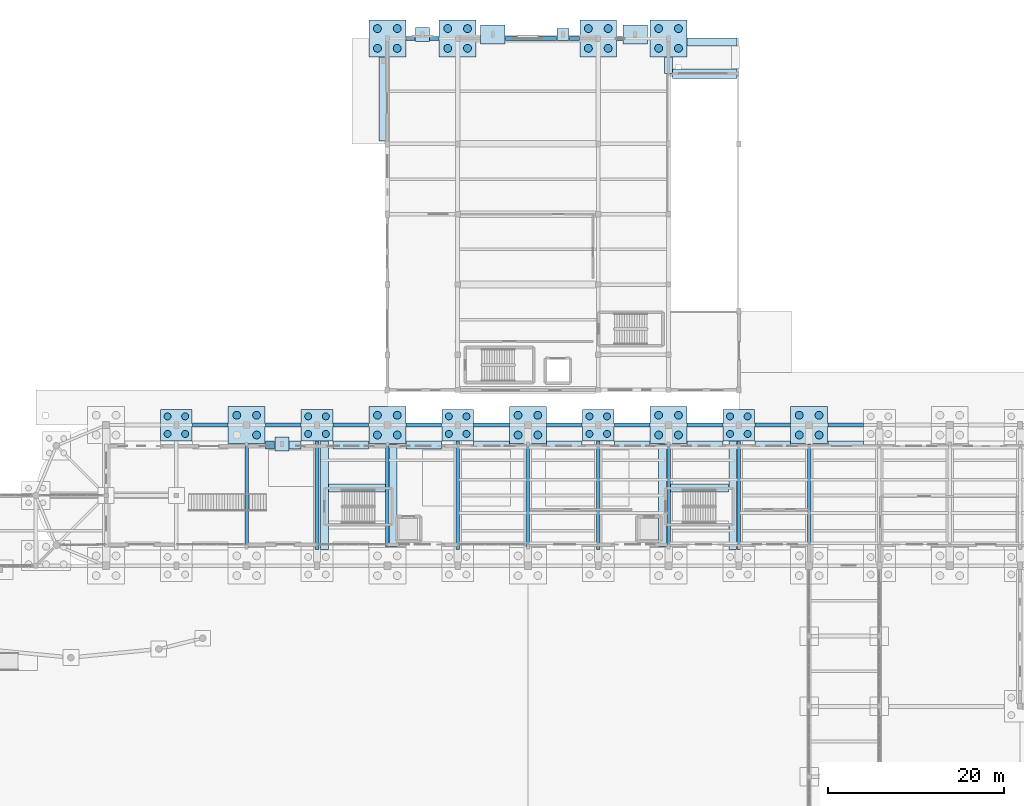
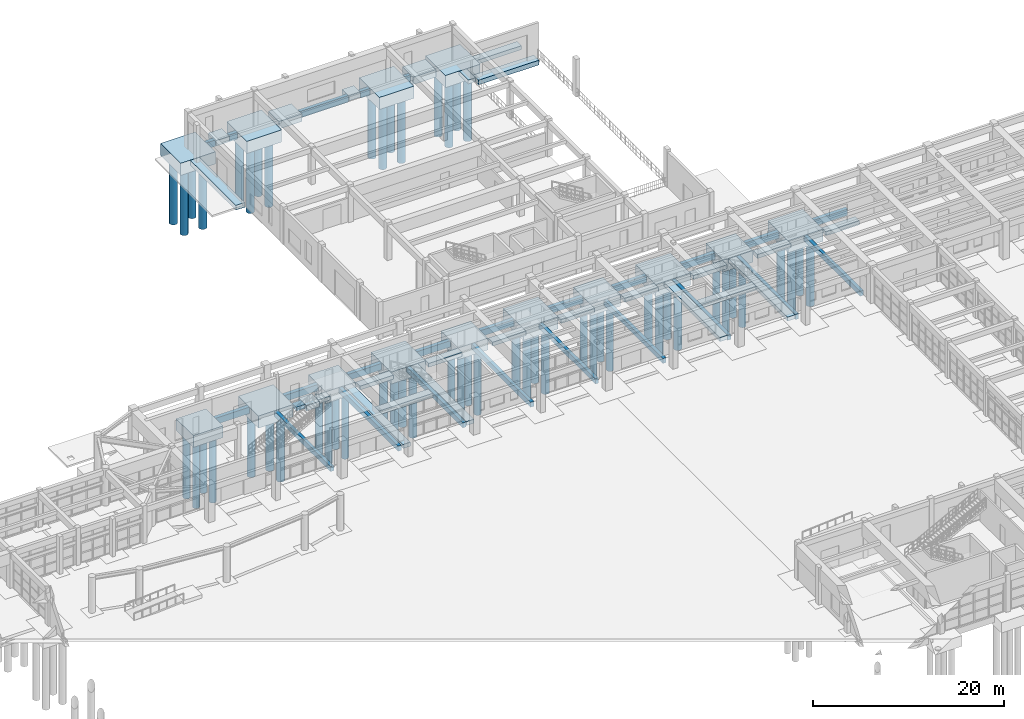
# One storey, part 4 of 68: 63 footings, 55 piles.
"""IFC4 building model written with IfcOpenShell, lengths in metres."""

from ifc_helpers import new_model, si_unit, direction, frame, origin, origin_2d, place, context, subcontext, project, spatial, polyline, rectangle, circle, outline, extrude, material, material_profile, profile_set, type_object, element, save


model = new_model("IFC4")

# Units and contexts
model_context = context("Model", 3, precision=1e-05, world=origin(), true_north=direction((0.0, 1.0)))
body_context = subcontext(model_context, "Body", "Model", "MODEL_VIEW")
ifc_project = project(units=[si_unit("LENGTHUNIT", "METRE"), si_unit("AREAUNIT", "SQUARE_METRE"), si_unit("VOLUMEUNIT", "CUBIC_METRE"), si_unit("PLANEANGLEUNIT", "RADIAN"), si_unit("MASSUNIT", "GRAM", prefix="KILO")], contexts=[model_context])

# Site, building, storey
site_placement = place(None, origin())
site = spatial("IfcSite", under=ifc_project, at=site_placement, CompositionType="ELEMENT")
building_placement = place(site_placement, origin())
building = spatial("IfcBuilding", under=site, at=building_placement, Name="Serraluz Foothill Cableway Terminal", CompositionType="ELEMENT")
storey_placement = place(building_placement, origin())
storey = spatial("IfcBuildingStorey", under=building, at=storey_placement, Name="L00", CompositionType="ELEMENT", Elevation=0.0)

# Footings
ifc_material_1 = material(Name="Concrete C35/45 (f'c 35 MPa)", Category="concrete")
ifc_material_profile_1 = material_profile(ifc_material_1, rectangle(XDim=0.39990234375, YDim=0.64990234375, at=origin_2d()), Name="RC 400x650")
ifc_profile_set_1 = profile_set([ifc_material_profile_1], Name="Concrete C35/45 (f'c 35 MPa)")
footing_type_1 = type_object("IfcFootingType", Name="TYP-FB-400X650", PredefinedType="FOOTING_BEAM", material=ifc_profile_set_1)
footing_1_placement = place(storey_placement, frame((56.0, 58.1240234375, -0.324951171875), z_axis=(0.0, 1.0, 0.0), x_axis=(-1.0, 0.0, 0.0)))
element("IfcFooting", 1, at=footing_1_placement, inside=storey, type_object=footing_type_1, Name="Seismic Tie Footing Beam FB-137", PredefinedType="FOOTING_BEAM", context=body_context, shape_type="SweptSolid", body=[
    extrude(rectangle(XDim=0.39990234375, YDim=0.64990234375, at=origin_2d()), origin(), (0.0, 0.0, 1.0), 11.751953125),
])
footing_2_placement = place(storey_placement, frame((64.0, 57.823974609375, -0.324951171875), z_axis=(0.0, 1.0, 0.0), x_axis=(-1.0, 0.0, 0.0)))
element("IfcFooting", 2, at=footing_2_placement, inside=storey, type_object=footing_type_1, Name="Seismic Tie Footing Beam FB-138", PredefinedType="FOOTING_BEAM", context=body_context, shape_type="SweptSolid", body=[
    extrude(rectangle(XDim=0.39990234375, YDim=0.64990234375, at=origin_2d()), origin(), (0.0, 0.0, 1.0), 12.35205078125),
])
footing_3_placement = place(storey_placement, frame((72.0, 58.1240234375, -0.324951171875), z_axis=(0.0, 1.0, 0.0), x_axis=(-1.0, 0.0, 0.0)))
element("IfcFooting", 3, at=footing_3_placement, inside=storey, type_object=footing_type_1, Name="Seismic Tie Footing Beam FB-139", PredefinedType="FOOTING_BEAM", context=body_context, shape_type="SweptSolid", body=[
    extrude(rectangle(XDim=0.39990234375, YDim=0.64990234375, at=origin_2d()), origin(), (0.0, 0.0, 1.0), 11.751953125),
])
footing_4_placement = place(storey_placement, frame((80.0, 57.823974609375, -0.324951171875), z_axis=(0.0, 1.0, 0.0), x_axis=(-1.0, 0.0, 0.0)))
element("IfcFooting", 4, at=footing_4_placement, inside=storey, type_object=footing_type_1, Name="Seismic Tie Footing Beam FB-140", PredefinedType="FOOTING_BEAM", context=body_context, shape_type="SweptSolid", body=[
    extrude(rectangle(XDim=0.39990234375, YDim=0.64990234375, at=origin_2d()), origin(), (0.0, 0.0, 1.0), 12.35205078125),
])
footing_5_placement = place(storey_placement, frame((88.0, 58.1240234375, -0.324951171875), z_axis=(0.0, 1.0, 0.0), x_axis=(-1.0, 0.0, 0.0)))
element("IfcFooting", 5, at=footing_5_placement, inside=storey, type_object=footing_type_1, Name="Seismic Tie Footing Beam FB-144", PredefinedType="FOOTING_BEAM", context=body_context, shape_type="SweptSolid", body=[
    extrude(rectangle(XDim=0.39990234375, YDim=0.64990234375, at=origin_2d()), origin(), (0.0, 0.0, 1.0), 11.751953125),
])
footing_6_placement = place(storey_placement, frame((96.0, 57.823974609375, -0.324951171875), z_axis=(0.0, 1.0, 0.0), x_axis=(-1.0, 0.0, 0.0)))
element("IfcFooting", 6, at=footing_6_placement, inside=storey, type_object=footing_type_1, Name="Seismic Tie Footing Beam FB-146", PredefinedType="FOOTING_BEAM", context=body_context, shape_type="SweptSolid", body=[
    extrude(rectangle(XDim=0.39990234375, YDim=0.64990234375, at=origin_2d()), origin(), (0.0, 0.0, 1.0), 12.35205078125),
])
footing_7_placement = place(storey_placement, frame((104.0, 58.1240234375, -0.324951171875), z_axis=(0.0, 1.0, 0.0), x_axis=(-1.0, 0.0, 0.0)))
element("IfcFooting", 7, at=footing_7_placement, inside=storey, type_object=footing_type_1, Name="Seismic Tie Footing Beam FB-148", PredefinedType="FOOTING_BEAM", context=body_context, shape_type="SweptSolid", body=[
    extrude(rectangle(XDim=0.39990234375, YDim=0.64990234375, at=origin_2d()), origin(), (0.0, 0.0, 1.0), 11.751953125),
])
footing_8_placement = place(storey_placement, frame((112.0, 57.823974609375, -0.324951171875), z_axis=(0.0, 1.0, 0.0), x_axis=(-1.0, 0.0, 0.0)))
element("IfcFooting", 8, at=footing_8_placement, inside=storey, type_object=footing_type_1, Name="Seismic Tie Footing Beam FB-150", PredefinedType="FOOTING_BEAM", context=body_context, shape_type="SweptSolid", body=[
    extrude(rectangle(XDim=0.39990234375, YDim=0.64990234375, at=origin_2d()), origin(), (0.0, 0.0, 1.0), 12.35205078125),
])
footing_9_placement = place(storey_placement, frame((120.0, 58.1240234375, -0.324951171875), z_axis=(0.0, 1.0, 0.0), x_axis=(-1.0, 0.0, 0.0)))
element("IfcFooting", 9, at=footing_9_placement, inside=storey, type_object=footing_type_1, Name="Seismic Tie Footing Beam FB-157", PredefinedType="FOOTING_BEAM", context=body_context, shape_type="SweptSolid", body=[
    extrude(rectangle(XDim=0.39990234375, YDim=0.64990234375, at=origin_2d()), origin(), (0.0, 0.0, 1.0), 11.751953125),
])
ifc_material_profile_2 = material_profile(ifc_material_1, rectangle(XDim=0.449951171875, YDim=0.800048828125, at=origin_2d()), Name="RC 450x800")
ifc_profile_set_2 = profile_set([ifc_material_profile_2], Name="Concrete C35/45 (f'c 35 MPa)")
footing_type_2 = type_object("IfcFootingType", Name="TYP-FB-450X700", PredefinedType="FOOTING_BEAM", material=ifc_profile_set_2)
for number, where, z_axis, x_axis, name in (
    (10, (49.823974609375, 72.0, -0.39990234375), (1.0, 0.0, 0.0), (0.0, 1.0, 0.0), "Seismic Tie Footing Beam FB-091"),
    (11, (58.1240234375, 72.0, -0.39990234375), (1.0, 0.0, 0.0), (0.0, 1.0, 0.0), "Seismic Tie Footing Beam FB-092"),
    (12, (65.823974609375, 72.0, -0.39990234375), (1.0, 0.0, 0.0), (0.0, 1.0, 0.0), "Seismic Tie Footing Beam FB-093"),
    (13, (74.1240234375, 72.0, -0.39990234375), (1.0, 0.0, 0.0), (0.0, 1.0, 0.0), "Seismic Tie Footing Beam FB-094"),
    (14, (81.823974609375, 72.0, -0.39990234375), (1.0, 0.0, 0.0), (0.0, 1.0, 0.0), "Seismic Tie Footing Beam FB-095"),
    (15, (90.1240234375, 72.0, -0.39990234375), (1.0, 0.0, 0.0), (0.0, 1.0, 0.0), "Seismic Tie Footing Beam FB-096"),
    (16, (97.823974609375, 72.0, -0.39990234375), (1.0, 0.0, 0.0), (0.0, 1.0, 0.0), "Seismic Tie Footing Beam FB-097"),
    (17, (106.1240234375, 72.0, -0.39990234375), (1.0, 0.0, 0.0), (0.0, 1.0, 0.0), "Seismic Tie Footing Beam FB-098"),
    (18, (113.823974609375, 72.0, -0.39990234375), (1.0, 0.0, 0.0), (0.0, 1.0, 0.0), "Seismic Tie Footing Beam FB-099"),
    (19, (122.1240234375, 72.0, -0.39990234375), (1.0, 0.0, 0.0), (0.0, 1.0, 0.0), "Seismic Tie Footing Beam FB-100"),
):
    element("IfcFooting", number, at=place(storey_placement, frame(where, z_axis=z_axis, x_axis=x_axis)), inside=storey, type_object=footing_type_2, Name=name, PredefinedType="FOOTING_BEAM", context=body_context, shape_type="SweptSolid", body=[
        extrude(rectangle(XDim=0.449951171875, YDim=0.800048828125, at=origin_2d()), origin(), (0.0, 0.0, 1.0), 4.052001953125),
    ])
for number, where, z_axis, x_axis, name in (
    (20, (74.1240234375, 116.0, -0.39990234375), (1.0, 0.0, 0.0), (0.0, 1.0, 0.0), "Seismic Tie Footing Beam FB-107"),
    (21, (76.823974609375, 116.0, -0.39990234375), (1.0, 0.0, 0.0), (0.0, 1.0, 0.0), "Seismic Tie Footing Beam FB-108"),
):
    element("IfcFooting", number, at=place(storey_placement, frame(where, z_axis=z_axis, x_axis=x_axis)), inside=storey, type_object=footing_type_2, Name=name, PredefinedType="FOOTING_BEAM", context=body_context, shape_type="SweptSolid", body=[
        extrude(rectangle(XDim=0.449951171875, YDim=0.800048828125, at=origin_2d()), origin(), (0.0, 0.0, 1.0), 1.052001953125),
    ])
footing_10_placement = place(storey_placement, frame((85.424072265625, 116.0, -0.39990234375), z_axis=(1.0, 0.0, 0.0), x_axis=(0.0, 1.0, 0.0)))
element("IfcFooting", 22, at=footing_10_placement, inside=storey, type_object=footing_type_2, Name="Seismic Tie Footing Beam FB-109", PredefinedType="FOOTING_BEAM", context=body_context, shape_type="SweptSolid", body=[
    extrude(rectangle(XDim=0.449951171875, YDim=0.800048828125, at=origin_2d()), origin(), (0.0, 0.0, 1.0), 5.851806640625),
])
footing_11_placement = place(storey_placement, frame((92.72412109375, 116.0, -0.39990234375), z_axis=(1.0, 0.0, 0.0), x_axis=(0.0, 1.0, 0.0)))
element("IfcFooting", 23, at=footing_11_placement, inside=storey, type_object=footing_type_2, Name="Seismic Tie Footing Beam FB-110", PredefinedType="FOOTING_BEAM", context=body_context, shape_type="SweptSolid", body=[
    extrude(rectangle(XDim=0.449951171875, YDim=0.800048828125, at=origin_2d()), origin(), (0.0, 0.0, 1.0), 1.15185546875),
])
footing_12_placement = place(storey_placement, frame((98.1240234375, 116.0, -0.39990234375), z_axis=(1.0, 0.0, 0.0), x_axis=(0.0, 1.0, 0.0)))
element("IfcFooting", 24, at=footing_12_placement, inside=storey, type_object=footing_type_2, Name="Seismic Tie Footing Beam FB-111", PredefinedType="FOOTING_BEAM", context=body_context, shape_type="SweptSolid", body=[
    extrude(rectangle(XDim=0.449951171875, YDim=0.800048828125, at=origin_2d()), origin(), (0.0, 0.0, 1.0), 0.65185546875),
])
footing_type_3 = type_object("IfcFootingType", Name="TYP-PAD-1400X1400X650", PredefinedType="PAD_FOOTING", material=ifc_material_1)
footing_13_placement = place(storey_placement, frame((92.0, 116.449951171875, -0.64990234375), z_axis=(0.0, 0.0, 1.0), x_axis=(1.0, 0.0, 0.0)))
element("IfcFooting", 25, at=footing_13_placement, inside=storey, type_object=footing_type_3, Name="Pilaster Pad Footing 30", PredefinedType="PAD_FOOTING", context=body_context, shape_type="SweptSolid", body=[
    extrude(rectangle(XDim=1.39990234375, YDim=1.39990234375, at=origin_2d()), origin(), (0.0, 0.0, 1.0), 0.64990234375),
])
footing_type_4 = type_object("IfcFootingType", Name="TYP-PAD-1600X1600X700", PredefinedType="PAD_FOOTING", material=ifc_material_1)
for number, where, z_axis, x_axis, name in (
    (26, (60.0, 69.85009765625, -0.7001953125), (0.0, 0.0, 1.0), (1.0, 0.0, 0.0), "Pilaster Pad Footing 25"),
    (27, (76.0, 116.449951171875, -0.7001953125), (0.0, 0.0, 1.0), (1.0, 0.0, 0.0), "Pilaster Pad Footing 28"),
):
    element("IfcFooting", number, at=place(storey_placement, frame(where, z_axis=z_axis, x_axis=x_axis)), inside=storey, type_object=footing_type_4, Name=name, PredefinedType="PAD_FOOTING", context=body_context, shape_type="SweptSolid", body=[
        extrude(rectangle(XDim=1.60009765625, YDim=1.60009765625, at=origin_2d()), origin(), (0.0, 0.0, 1.0), 0.699951171875),
    ])
footing_type_5 = type_object("IfcFootingType", Name="TYP-PAD-2800X2200X950", PredefinedType="PAD_FOOTING", material=ifc_material_1)
for number, where, z_axis, x_axis, name in (
    (28, (100.199951171875, 116.449951171875, -0.9501953125), (0.0, 0.0, 1.0), (1.0, 0.0, 0.0), "Pilaster Pad Footing 26"),
    (29, (84.0, 116.449951171875, -0.9501953125), (0.0, 0.0, 1.0), (1.0, 0.0, 0.0), "Pilaster Pad Footing 29"),
):
    element("IfcFooting", number, at=place(storey_placement, frame(where, z_axis=z_axis, x_axis=x_axis)), inside=storey, type_object=footing_type_5, Name=name, PredefinedType="PAD_FOOTING", context=body_context, shape_type="SweptSolid", body=[
        extrude(rectangle(XDim=2.800048828125, YDim=2.199951171875, at=origin_2d()), origin(), (0.0, 0.0, 1.0), 0.949951171875),
    ])
footing_type_6 = type_object("IfcFootingType", Name="TYP-PC-3600X3600X1500", PredefinedType="PILE_CAP", material=ifc_material_1)
footing_14_placement = place(storey_placement, frame((0.0, 0.0, -1.5)))
element("IfcFooting", 30, at=footing_14_placement, inside=storey, type_object=footing_type_6, Name="Pile Cap FTG-PC-L00-004", PredefinedType="PILE_CAP", context=body_context, shape_type="SweptSolid", body=[
    extrude(outline(polyline([(46.199951171875, 70.199951171875), (49.800048828125, 70.199951171875), (49.800048828125, 73.800048828125), (46.199951171875, 73.800048828125), (46.199951171875, 70.199951171875)])), origin(), (0.0, 0.0, 1.0), 1.5),
])
footing_15_placement = place(storey_placement, frame((0.0, 0.0, -1.5)))
element("IfcFooting", 31, at=footing_15_placement, inside=storey, type_object=footing_type_6, Name="Pile Cap FTG-PC-L00-008", PredefinedType="PILE_CAP", context=body_context, shape_type="SweptSolid", body=[
    extrude(outline(polyline([(62.199951171875, 70.199951171875), (65.800048828125, 70.199951171875), (65.800048828125, 73.800048828125), (62.199951171875, 73.800048828125), (62.199951171875, 70.199951171875)])), origin(), (0.0, 0.0, 1.0), 1.5),
])
footing_16_placement = place(storey_placement, frame((0.0, 0.0, -1.5)))
element("IfcFooting", 32, at=footing_16_placement, inside=storey, type_object=footing_type_6, Name="Pile Cap FTG-PC-L00-012", PredefinedType="PILE_CAP", context=body_context, shape_type="SweptSolid", body=[
    extrude(outline(polyline([(78.199951171875, 70.199951171875), (81.800048828125, 70.199951171875), (81.800048828125, 73.800048828125), (78.199951171875, 73.800048828125), (78.199951171875, 70.199951171875)])), origin(), (0.0, 0.0, 1.0), 1.5),
])
footing_17_placement = place(storey_placement, frame((0.0, 0.0, -1.5)))
element("IfcFooting", 33, at=footing_17_placement, inside=storey, type_object=footing_type_6, Name="Pile Cap FTG-PC-L00-016", PredefinedType="PILE_CAP", context=body_context, shape_type="SweptSolid", body=[
    extrude(outline(polyline([(94.199951171875, 70.199951171875), (97.800048828125, 70.199951171875), (97.800048828125, 73.800048828125), (94.199951171875, 73.800048828125), (94.199951171875, 70.199951171875)])), origin(), (0.0, 0.0, 1.0), 1.5),
])
footing_18_placement = place(storey_placement, frame((0.0, 0.0, -1.5)))
element("IfcFooting", 34, at=footing_18_placement, inside=storey, type_object=footing_type_6, Name="Pile Cap FTG-PC-L00-020", PredefinedType="PILE_CAP", context=body_context, shape_type="SweptSolid", body=[
    extrude(outline(polyline([(110.199951171875, 70.199951171875), (113.800048828125, 70.199951171875), (113.800048828125, 73.800048828125), (110.199951171875, 73.800048828125), (110.199951171875, 70.199951171875)])), origin(), (0.0, 0.0, 1.0), 1.5),
])
footing_type_7 = type_object("IfcFootingType", Name="TYP-PC-4200X4200X1550", PredefinedType="PILE_CAP", material=ifc_material_1)
footing_19_placement = place(storey_placement, frame((0.0, 0.0, -1.550048828125)))
element("IfcFooting", 35, at=footing_19_placement, inside=storey, type_object=footing_type_7, Name="Pile Cap FTG-PC-L00-006", PredefinedType="PILE_CAP", context=body_context, shape_type="SweptSolid", body=[
    extrude(outline(polyline([(53.89990234375, 69.89990234375), (58.10009765625, 69.89990234375), (58.10009765625, 74.10009765625), (53.89990234375, 74.10009765625), (53.89990234375, 69.89990234375)])), origin(), (0.0, 0.0, 1.0), 1.550048828125),
])
footing_20_placement = place(storey_placement, frame((0.0, 0.0, -1.550048828125)))
element("IfcFooting", 36, at=footing_20_placement, inside=storey, type_object=footing_type_7, Name="Pile Cap FTG-PC-L00-010", PredefinedType="PILE_CAP", context=body_context, shape_type="SweptSolid", body=[
    extrude(outline(polyline([(69.89990234375, 69.89990234375), (74.10009765625, 69.89990234375), (74.10009765625, 74.10009765625), (69.89990234375, 74.10009765625), (69.89990234375, 69.89990234375)])), origin(), (0.0, 0.0, 1.0), 1.550048828125),
])
footing_21_placement = place(storey_placement, frame((0.0, 0.0, -1.550048828125)))
element("IfcFooting", 37, at=footing_21_placement, inside=storey, type_object=footing_type_7, Name="Pile Cap FTG-PC-L00-014", PredefinedType="PILE_CAP", context=body_context, shape_type="SweptSolid", body=[
    extrude(outline(polyline([(85.89990234375, 69.89990234375), (90.10009765625, 69.89990234375), (90.10009765625, 74.10009765625), (85.89990234375, 74.10009765625), (85.89990234375, 69.89990234375)])), origin(), (0.0, 0.0, 1.0), 1.550048828125),
])
footing_22_placement = place(storey_placement, frame((0.0, 0.0, -1.550048828125)))
element("IfcFooting", 38, at=footing_22_placement, inside=storey, type_object=footing_type_7, Name="Pile Cap FTG-PC-L00-018", PredefinedType="PILE_CAP", context=body_context, shape_type="SweptSolid", body=[
    extrude(outline(polyline([(101.89990234375, 69.89990234375), (106.10009765625, 69.89990234375), (106.10009765625, 74.10009765625), (101.89990234375, 74.10009765625), (101.89990234375, 69.89990234375)])), origin(), (0.0, 0.0, 1.0), 1.550048828125),
])
footing_23_placement = place(storey_placement, frame((0.0, 0.0, -1.550048828125)))
element("IfcFooting", 39, at=footing_23_placement, inside=storey, type_object=footing_type_7, Name="Pile Cap FTG-PC-L00-022", PredefinedType="PILE_CAP", context=body_context, shape_type="SweptSolid", body=[
    extrude(outline(polyline([(117.89990234375, 69.89990234375), (122.10009765625, 69.89990234375), (122.10009765625, 74.10009765625), (117.89990234375, 74.10009765625), (117.89990234375, 69.89990234375)])), origin(), (0.0, 0.0, 1.0), 1.550048828125),
])
footing_24_placement = place(storey_placement, frame((0.0, 0.0, -1.550048828125)))
element("IfcFooting", 40, at=footing_24_placement, inside=storey, type_object=footing_type_7, Name="Pile Cap FTG-PC-L00-064", PredefinedType="PILE_CAP", context=body_context, shape_type="SweptSolid", body=[
    extrude(outline(polyline([(69.89990234375, 113.89990234375), (74.10009765625, 113.89990234375), (74.10009765625, 118.10009765625), (69.89990234375, 118.10009765625), (69.89990234375, 113.89990234375)])), origin(), (0.0, 0.0, 1.0), 1.550048828125),
])
footing_25_placement = place(storey_placement, frame((0.0, 0.0, -1.550048828125)))
element("IfcFooting", 41, at=footing_25_placement, inside=storey, type_object=footing_type_7, Name="Pile Cap FTG-PC-L00-065", PredefinedType="PILE_CAP", context=body_context, shape_type="SweptSolid", body=[
    extrude(outline(polyline([(77.89990234375, 113.89990234375), (82.10009765625, 113.89990234375), (82.10009765625, 118.10009765625), (77.89990234375, 118.10009765625), (77.89990234375, 113.89990234375)])), origin(), (0.0, 0.0, 1.0), 1.550048828125),
])
footing_26_placement = place(storey_placement, frame((0.0, 0.0, -1.550048828125)))
element("IfcFooting", 42, at=footing_26_placement, inside=storey, type_object=footing_type_7, Name="Pile Cap FTG-PC-L00-066", PredefinedType="PILE_CAP", context=body_context, shape_type="SweptSolid", body=[
    extrude(outline(polyline([(93.89990234375, 113.89990234375), (98.10009765625, 113.89990234375), (98.10009765625, 118.10009765625), (93.89990234375, 118.10009765625), (93.89990234375, 113.89990234375)])), origin(), (0.0, 0.0, 1.0), 1.550048828125),
])
footing_27_placement = place(storey_placement, frame((0.0, 0.0, -1.550048828125)))
element("IfcFooting", 43, at=footing_27_placement, inside=storey, type_object=footing_type_7, Name="Pile Cap FTG-PC-L00-067", PredefinedType="PILE_CAP", context=body_context, shape_type="SweptSolid", body=[
    extrude(outline(polyline([(101.89990234375, 113.89990234375), (106.10009765625, 113.89990234375), (106.10009765625, 118.10009765625), (101.89990234375, 118.10009765625), (101.89990234375, 113.89990234375)])), origin(), (0.0, 0.0, 1.0), 1.550048828125),
])

# Piles
ifc_material_2 = material(Name="Concrete C28/35 (f'c 28 MPa)", Category="concrete")
ifc_material_profile_3 = material_profile(ifc_material_2, circle(Radius=0.39990234375, at=origin_2d()), Name="BORED PILE D800")
ifc_profile_set_3 = profile_set([ifc_material_profile_3], Name="Concrete C28/35 (f'c 28 MPa)")
pile_type_1 = type_object("IfcPileType", Name="TYP-PILE-D800", PredefinedType="BORED", material=ifc_profile_set_3)
for number, where, z_axis, x_axis, name in (
    (44, (47.0, 71.0, -1.39990234375), (0.0, 0.0, -1.0), (1.0, 0.0, 0.0), "Bored Pile PIL-L00-004-01"),
    (45, (47.0, 73.0, -1.39990234375), (0.0, 0.0, -1.0), (1.0, 0.0, 0.0), "Bored Pile PIL-L00-004-02"),
    (46, (49.0, 71.0, -1.39990234375), (0.0, 0.0, -1.0), (1.0, 0.0, 0.0), "Bored Pile PIL-L00-004-03"),
    (47, (49.0, 73.0, -1.39990234375), (0.0, 0.0, -1.0), (1.0, 0.0, 0.0), "Bored Pile PIL-L00-004-04"),
    (48, (63.0, 71.0, -1.39990234375), (0.0, 0.0, -1.0), (1.0, 0.0, 0.0), "Bored Pile PIL-L00-008-01"),
    (49, (63.0, 73.0, -1.39990234375), (0.0, 0.0, -1.0), (1.0, 0.0, 0.0), "Bored Pile PIL-L00-008-02"),
    (50, (65.0, 71.0, -1.39990234375), (0.0, 0.0, -1.0), (1.0, 0.0, 0.0), "Bored Pile PIL-L00-008-03"),
    (51, (65.0, 73.0, -1.39990234375), (0.0, 0.0, -1.0), (1.0, 0.0, 0.0), "Bored Pile PIL-L00-008-04"),
    (52, (79.0, 71.0, -1.39990234375), (0.0, 0.0, -1.0), (1.0, 0.0, 0.0), "Bored Pile PIL-L00-012-01"),
    (53, (79.0, 73.0, -1.39990234375), (0.0, 0.0, -1.0), (1.0, 0.0, 0.0), "Bored Pile PIL-L00-012-02"),
    (54, (81.0, 71.0, -1.39990234375), (0.0, 0.0, -1.0), (1.0, 0.0, 0.0), "Bored Pile PIL-L00-012-03"),
    (55, (81.0, 73.0, -1.39990234375), (0.0, 0.0, -1.0), (1.0, 0.0, 0.0), "Bored Pile PIL-L00-012-04"),
    (56, (95.0, 71.0, -1.39990234375), (0.0, 0.0, -1.0), (1.0, 0.0, 0.0), "Bored Pile PIL-L00-016-01"),
    (57, (95.0, 73.0, -1.39990234375), (0.0, 0.0, -1.0), (1.0, 0.0, 0.0), "Bored Pile PIL-L00-016-02"),
    (58, (97.0, 71.0, -1.39990234375), (0.0, 0.0, -1.0), (1.0, 0.0, 0.0), "Bored Pile PIL-L00-016-03"),
    (59, (97.0, 73.0, -1.39990234375), (0.0, 0.0, -1.0), (1.0, 0.0, 0.0), "Bored Pile PIL-L00-016-04"),
    (60, (111.0, 71.0, -1.39990234375), (0.0, 0.0, -1.0), (1.0, 0.0, 0.0), "Bored Pile PIL-L00-020-01"),
    (61, (111.0, 73.0, -1.39990234375), (0.0, 0.0, -1.0), (1.0, 0.0, 0.0), "Bored Pile PIL-L00-020-02"),
    (62, (113.0, 71.0, -1.39990234375), (0.0, 0.0, -1.0), (1.0, 0.0, 0.0), "Bored Pile PIL-L00-020-03"),
    (63, (113.0, 73.0, -1.39990234375), (0.0, 0.0, -1.0), (1.0, 0.0, 0.0), "Bored Pile PIL-L00-020-04"),
):
    element("IfcPile", number, at=place(storey_placement, frame(where, z_axis=z_axis, x_axis=x_axis)), inside=storey, type_object=pile_type_1, Name=name, PredefinedType="BORED", context=body_context, shape_type="SweptSolid", body=[
        extrude(circle(Radius=0.39990234375, at=origin_2d()), origin(), (0.0, 0.0, 1.0), 8.39990234375),
    ])
ifc_material_profile_4 = material_profile(ifc_material_2, circle(Radius=0.449951171875, at=origin_2d()), Name="BORED PILE D900")
ifc_profile_set_4 = profile_set([ifc_material_profile_4], Name="Concrete C28/35 (f'c 28 MPa)")
pile_type_2 = type_object("IfcPileType", Name="TYP-PILE-D900", PredefinedType="BORED", material=ifc_profile_set_4)
for number, where, z_axis, x_axis, name in (
    (64, (54.875, 73.125, -1.449951171875), (0.0, 0.0, -1.0), (1.0, 0.0, 0.0), "Bored Pile PIL-L00-006-02"),
    (65, (57.125, 70.875, -1.449951171875), (0.0, 0.0, -1.0), (1.0, 0.0, 0.0), "Bored Pile PIL-L00-006-03"),
    (66, (57.125, 73.125, -1.449951171875), (0.0, 0.0, -1.0), (1.0, 0.0, 0.0), "Bored Pile PIL-L00-006-04"),
    (67, (70.875, 70.875, -1.449951171875), (0.0, 0.0, -1.0), (1.0, 0.0, 0.0), "Bored Pile PIL-L00-010-01"),
    (68, (70.875, 73.125, -1.449951171875), (0.0, 0.0, -1.0), (1.0, 0.0, 0.0), "Bored Pile PIL-L00-010-02"),
    (69, (73.125, 70.875, -1.449951171875), (0.0, 0.0, -1.0), (1.0, 0.0, 0.0), "Bored Pile PIL-L00-010-03"),
    (70, (73.125, 73.125, -1.449951171875), (0.0, 0.0, -1.0), (1.0, 0.0, 0.0), "Bored Pile PIL-L00-010-04"),
    (71, (86.875, 70.875, -1.449951171875), (0.0, 0.0, -1.0), (1.0, 0.0, 0.0), "Bored Pile PIL-L00-014-01"),
    (72, (86.875, 73.125, -1.449951171875), (0.0, 0.0, -1.0), (1.0, 0.0, 0.0), "Bored Pile PIL-L00-014-02"),
    (73, (89.125, 70.875, -1.449951171875), (0.0, 0.0, -1.0), (1.0, 0.0, 0.0), "Bored Pile PIL-L00-014-03"),
    (74, (89.125, 73.125, -1.449951171875), (0.0, 0.0, -1.0), (1.0, 0.0, 0.0), "Bored Pile PIL-L00-014-04"),
    (75, (102.875, 70.875, -1.449951171875), (0.0, 0.0, -1.0), (1.0, 0.0, 0.0), "Bored Pile PIL-L00-018-01"),
    (76, (102.875, 73.125, -1.449951171875), (0.0, 0.0, -1.0), (1.0, 0.0, 0.0), "Bored Pile PIL-L00-018-02"),
    (77, (105.125, 70.875, -1.449951171875), (0.0, 0.0, -1.0), (1.0, 0.0, 0.0), "Bored Pile PIL-L00-018-03"),
    (78, (105.125, 73.125, -1.449951171875), (0.0, 0.0, -1.0), (1.0, 0.0, 0.0), "Bored Pile PIL-L00-018-04"),
    (79, (118.875, 70.875, -1.449951171875), (0.0, 0.0, -1.0), (1.0, 0.0, 0.0), "Bored Pile PIL-L00-022-01"),
    (80, (118.875, 73.125, -1.449951171875), (0.0, 0.0, -1.0), (1.0, 0.0, 0.0), "Bored Pile PIL-L00-022-02"),
    (81, (121.125, 70.875, -1.449951171875), (0.0, 0.0, -1.0), (1.0, 0.0, 0.0), "Bored Pile PIL-L00-022-03"),
    (82, (121.125, 73.125, -1.449951171875), (0.0, 0.0, -1.0), (1.0, 0.0, 0.0), "Bored Pile PIL-L00-022-04"),
    (83, (70.875, 114.875, -1.449951171875), (0.0, 0.0, -1.0), (1.0, 0.0, 0.0), "Bored Pile PIL-L00-064-01"),
    (84, (70.875, 117.125, -1.449951171875), (0.0, 0.0, -1.0), (1.0, 0.0, 0.0), "Bored Pile PIL-L00-064-02"),
    (85, (73.125, 114.875, -1.449951171875), (0.0, 0.0, -1.0), (1.0, 0.0, 0.0), "Bored Pile PIL-L00-064-03"),
    (86, (73.125, 117.125, -1.449951171875), (0.0, 0.0, -1.0), (1.0, 0.0, 0.0), "Bored Pile PIL-L00-064-04"),
    (87, (78.875, 114.875, -1.449951171875), (0.0, 0.0, -1.0), (1.0, 0.0, 0.0), "Bored Pile PIL-L00-065-01"),
    (88, (78.875, 117.125, -1.449951171875), (0.0, 0.0, -1.0), (1.0, 0.0, 0.0), "Bored Pile PIL-L00-065-02"),
    (89, (81.125, 114.875, -1.449951171875), (0.0, 0.0, -1.0), (1.0, 0.0, 0.0), "Bored Pile PIL-L00-065-03"),
    (90, (81.125, 117.125, -1.449951171875), (0.0, 0.0, -1.0), (1.0, 0.0, 0.0), "Bored Pile PIL-L00-065-04"),
    (91, (94.875, 114.875, -1.449951171875), (0.0, 0.0, -1.0), (1.0, 0.0, 0.0), "Bored Pile PIL-L00-066-01"),
    (92, (94.875, 117.125, -1.449951171875), (0.0, 0.0, -1.0), (1.0, 0.0, 0.0), "Bored Pile PIL-L00-066-02"),
    (93, (97.125, 114.875, -1.449951171875), (0.0, 0.0, -1.0), (1.0, 0.0, 0.0), "Bored Pile PIL-L00-066-03"),
    (94, (97.125, 117.125, -1.449951171875), (0.0, 0.0, -1.0), (1.0, 0.0, 0.0), "Bored Pile PIL-L00-066-04"),
    (95, (102.875, 114.875, -1.449951171875), (0.0, 0.0, -1.0), (1.0, 0.0, 0.0), "Bored Pile PIL-L00-067-01"),
    (96, (102.875, 117.125, -1.449951171875), (0.0, 0.0, -1.0), (1.0, 0.0, 0.0), "Bored Pile PIL-L00-067-02"),
    (97, (105.125, 114.875, -1.449951171875), (0.0, 0.0, -1.0), (1.0, 0.0, 0.0), "Bored Pile PIL-L00-067-03"),
    (98, (105.125, 117.125, -1.449951171875), (0.0, 0.0, -1.0), (1.0, 0.0, 0.0), "Bored Pile PIL-L00-067-04"),
):
    element("IfcPile", number, at=place(storey_placement, frame(where, z_axis=z_axis, x_axis=x_axis)), inside=storey, type_object=pile_type_2, Name=name, PredefinedType="BORED", context=body_context, shape_type="SweptSolid", body=[
        extrude(circle(Radius=0.449951171875, at=origin_2d()), origin(), (0.0, 0.0, 1.0), 8.39990234375),
    ])

# Footings
ifc_material_profile_5 = material_profile(ifc_material_1, rectangle(XDim=1.10009765625, YDim=0.60009765625, at=origin_2d()), Name="SF 1100x600")
ifc_profile_set_5 = profile_set([ifc_material_profile_5], Name="Concrete C35/45 (f'c 35 MPa)")
footing_type_8 = type_object("IfcFootingType", Name="TYP-SF-1100X600", PredefinedType="STRIP_FOOTING", material=ifc_profile_set_5)
footing_28_placement = place(storey_placement, frame((71.60009765625, 104.35009765625, -0.300048828125), z_axis=(0.0, 1.0, 0.0), x_axis=(-1.0, 0.0, 0.0)))
element("IfcFooting", 99, at=footing_28_placement, inside=storey, type_object=footing_type_8, Name="Continuous Strip Footing SF-V4-W", PredefinedType="STRIP_FOOTING", context=body_context, shape_type="SweptSolid", body=[
    extrude(rectangle(XDim=1.10009765625, YDim=0.60009765625, at=origin_2d()), origin(), (0.0, 0.0, 1.0), 9.52587890625),
])
footing_29_placement = place(storey_placement, frame((104.47412109375, 112.0, -0.300048828125), z_axis=(1.0, 0.0, 0.0), x_axis=(0.0, 1.0, 0.0)))
element("IfcFooting", 100, at=footing_29_placement, inside=storey, type_object=footing_type_8, Name="Continuous Strip Footing SF-RAMP-GATE", PredefinedType="STRIP_FOOTING", context=body_context, shape_type="SweptSolid", body=[
    extrude(rectangle(XDim=1.10009765625, YDim=0.60009765625, at=origin_2d()), origin(), (0.0, 0.0, 1.0), 7.325927734375),
])
ifc_material_profile_6 = material_profile(ifc_material_1, rectangle(XDim=0.89990234375, YDim=0.5, at=origin_2d()), Name="SF 900x500")
ifc_profile_set_6 = profile_set([ifc_material_profile_6], Name="Concrete C35/45 (f'c 35 MPa)")
footing_type_9 = type_object("IfcFootingType", Name="TYP-SF-900X500", PredefinedType="STRIP_FOOTING", material=ifc_profile_set_6)
footing_30_placement = place(storey_placement, frame((58.1240234375, 69.75, -0.25), z_axis=(1.0, 0.0, 0.0), x_axis=(0.0, 1.0, 0.0)))
element("IfcFooting", 101, at=footing_30_placement, inside=storey, type_object=footing_type_9, Name="Continuous Strip Footing SF-V1-RECN-3", PredefinedType="STRIP_FOOTING", context=body_context, shape_type="SweptSolid", body=[
    extrude(rectangle(XDim=0.89990234375, YDim=0.5, at=origin_2d()), origin(), (0.0, 0.0, 1.0), 1.052001953125),
])
footing_31_placement = place(storey_placement, frame((60.823974609375, 69.75, -0.25), z_axis=(1.0, 0.0, 0.0), x_axis=(0.0, 1.0, 0.0)))
element("IfcFooting", 102, at=footing_31_placement, inside=storey, type_object=footing_type_9, Name="Continuous Strip Footing SF-V1-RECN-4", PredefinedType="STRIP_FOOTING", context=body_context, shape_type="SweptSolid", body=[
    extrude(rectangle(XDim=0.89990234375, YDim=0.5, at=origin_2d()), origin(), (0.0, 0.0, 1.0), 1.35205078125),
])
for number, where, z_axis, x_axis, name in (
    (103, (65.823974609375, 69.75, -0.25), (1.0, 0.0, 0.0), (0.0, 1.0, 0.0), "Continuous Strip Footing SF-V1-RECN-5"),
    (104, (74.1240234375, 69.75, -0.25), (1.0, 0.0, 0.0), (0.0, 1.0, 0.0), "Continuous Strip Footing SF-V1-RECN-6"),
    (105, (81.823974609375, 69.75, -0.25), (1.0, 0.0, 0.0), (0.0, 1.0, 0.0), "Continuous Strip Footing SF-V1-RECN-7"),
    (106, (90.1240234375, 69.75, -0.25), (1.0, 0.0, 0.0), (0.0, 1.0, 0.0), "Continuous Strip Footing SF-V1-RECN-8"),
    (107, (97.823974609375, 69.75, -0.25), (1.0, 0.0, 0.0), (0.0, 1.0, 0.0), "Continuous Strip Footing SF-V1-RECN-9"),
    (108, (106.1240234375, 69.75, -0.25), (1.0, 0.0, 0.0), (0.0, 1.0, 0.0), "Continuous Strip Footing SF-V1-RECN-10"),
    (109, (113.823974609375, 69.75, -0.25), (1.0, 0.0, 0.0), (0.0, 1.0, 0.0), "Continuous Strip Footing SF-V1-RECN-11"),
    (110, (122.1240234375, 69.75, -0.25), (1.0, 0.0, 0.0), (0.0, 1.0, 0.0), "Continuous Strip Footing SF-V1-RECN-12"),
):
    element("IfcFooting", number, at=place(storey_placement, frame(where, z_axis=z_axis, x_axis=x_axis)), inside=storey, type_object=footing_type_9, Name=name, PredefinedType="STRIP_FOOTING", context=body_context, shape_type="SweptSolid", body=[
        extrude(rectangle(XDim=0.89990234375, YDim=0.5, at=origin_2d()), origin(), (0.0, 0.0, 1.0), 4.052001953125),
    ])
footing_32_placement = place(storey_placement, frame((104.0, 112.0, -0.25), z_axis=(0.0, 1.0, 0.0), x_axis=(-1.0, 0.0, 0.0)))
element("IfcFooting", 111, at=footing_32_placement, inside=storey, type_object=footing_type_9, Name="Continuous Strip Footing SF-V4-M", PredefinedType="STRIP_FOOTING", context=body_context, shape_type="SweptSolid", body=[
    extrude(rectangle(XDim=0.89990234375, YDim=0.5, at=origin_2d()), origin(), (0.0, 0.0, 1.0), 1.8759765625),
])
footing_33_placement = place(storey_placement, frame((64.85009765625, 57.823974609375, -0.25), z_axis=(0.0, 1.0, 0.0), x_axis=(-1.0, 0.0, 0.0)))
element("IfcFooting", 112, at=footing_33_placement, inside=storey, type_object=footing_type_9, Name="Continuous Strip Footing SF-CORE-3-W", PredefinedType="STRIP_FOOTING", context=body_context, shape_type="SweptSolid", body=[
    extrude(rectangle(XDim=0.89990234375, YDim=0.5, at=origin_2d()), origin(), (0.0, 0.0, 1.0), 12.35205078125),
])
footing_34_placement = place(storey_placement, frame((72.679931640625, 58.1240234375, -0.25), z_axis=(0.0, 1.0, 0.0), x_axis=(-1.0, 0.0, 0.0)))
element("IfcFooting", 113, at=footing_34_placement, inside=storey, type_object=footing_type_9, Name="Continuous Strip Footing SF-CORE-3-E", PredefinedType="STRIP_FOOTING", context=body_context, shape_type="SweptSolid", body=[
    extrude(rectangle(XDim=0.89990234375, YDim=0.5, at=origin_2d()), origin(), (0.0, 0.0, 1.0), 11.751953125),
])
footing_35_placement = place(storey_placement, frame((65.323974609375, 64.830078125, -0.25), z_axis=(1.0, 0.0, 0.0), x_axis=(0.0, 1.0, 0.0)))
element("IfcFooting", 114, at=footing_35_placement, inside=storey, type_object=footing_type_9, Name="Continuous Strip Footing SF-CORE-3-N", PredefinedType="STRIP_FOOTING", context=body_context, shape_type="SweptSolid", body=[
    extrude(rectangle(XDim=0.89990234375, YDim=0.5, at=origin_2d()), origin(), (0.0, 0.0, 1.0), 6.451904296875),
])
footing_36_placement = place(storey_placement, frame((103.320068359375, 58.1240234375, -0.25), z_axis=(0.0, 1.0, 0.0), x_axis=(-1.0, 0.0, 0.0)))
element("IfcFooting", 115, at=footing_36_placement, inside=storey, type_object=footing_type_9, Name="Continuous Strip Footing SF-CORE-4-W", PredefinedType="STRIP_FOOTING", context=body_context, shape_type="SweptSolid", body=[
    extrude(rectangle(XDim=0.89990234375, YDim=0.5, at=origin_2d()), origin(), (0.0, 0.0, 1.0), 11.751953125),
])
footing_37_placement = place(storey_placement, frame((111.31005859375, 57.823974609375, -0.25), z_axis=(0.0, 1.0, 0.0), x_axis=(-1.0, 0.0, 0.0)))
element("IfcFooting", 116, at=footing_37_placement, inside=storey, type_object=footing_type_9, Name="Continuous Strip Footing SF-CORE-4-E", PredefinedType="STRIP_FOOTING", context=body_context, shape_type="SweptSolid", body=[
    extrude(rectangle(XDim=0.89990234375, YDim=0.5, at=origin_2d()), origin(), (0.0, 0.0, 1.0), 12.35205078125),
])
footing_38_placement = place(storey_placement, frame((104.22412109375, 64.830078125, -0.25), z_axis=(1.0, 0.0, 0.0), x_axis=(0.0, 1.0, 0.0)))
element("IfcFooting", 117, at=footing_38_placement, inside=storey, type_object=footing_type_9, Name="Continuous Strip Footing SF-CORE-4-N", PredefinedType="STRIP_FOOTING", context=body_context, shape_type="SweptSolid", body=[
    extrude(rectangle(XDim=0.89990234375, YDim=0.5, at=origin_2d()), origin(), (0.0, 0.0, 1.0), 6.61181640625),
])
footing_39_placement = place(storey_placement, frame((106.1240234375, 115.60009765625, -0.64990234375), z_axis=(1.0, 0.0, 0.0), x_axis=(0.0, 1.0, 0.0)))
element("IfcFooting", 118, at=footing_39_placement, inside=storey, type_object=footing_type_9, Name="Continuous Strip Footing SF-RAMP-APRN1", PredefinedType="STRIP_FOOTING", context=body_context, shape_type="SweptSolid", body=[
    extrude(rectangle(XDim=0.89990234375, YDim=0.5, at=origin_2d()), origin(), (0.0, 0.0, 1.0), 5.676025390625),
])

save(model, "model.ifc")
